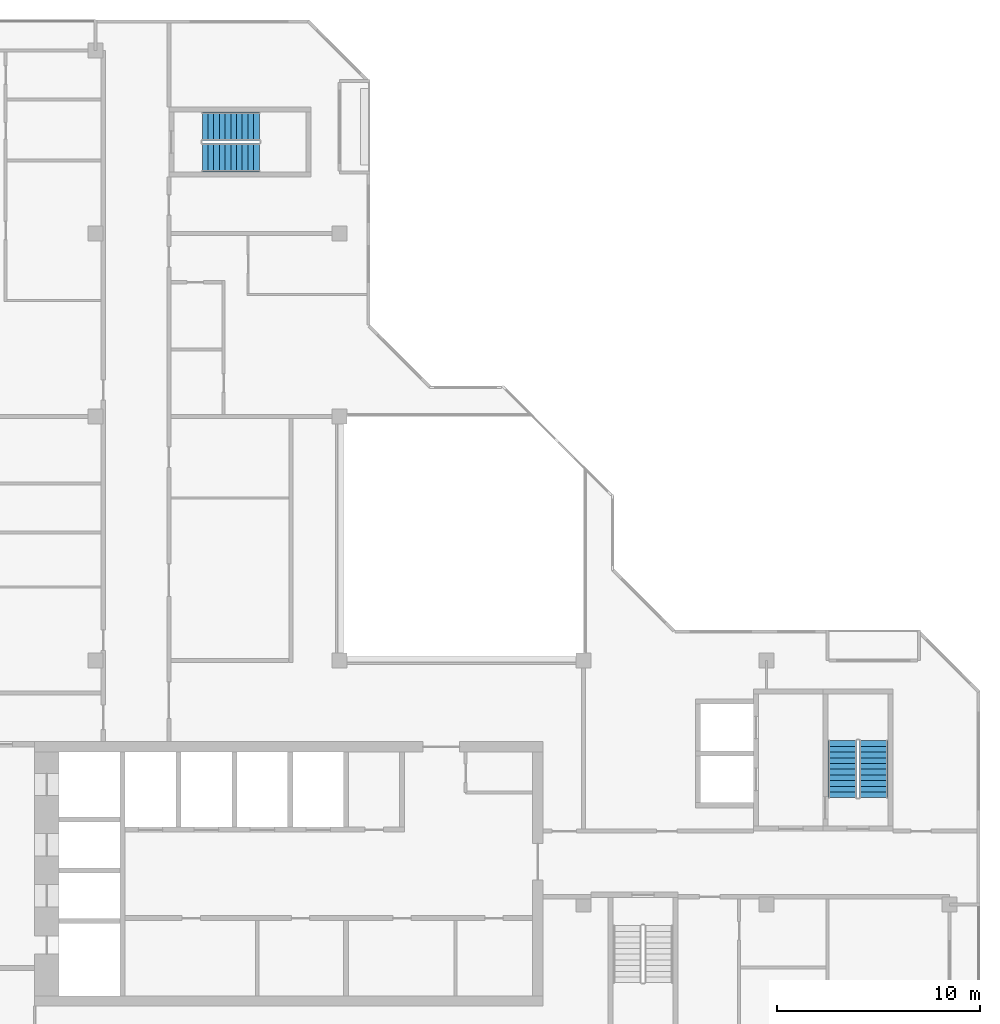
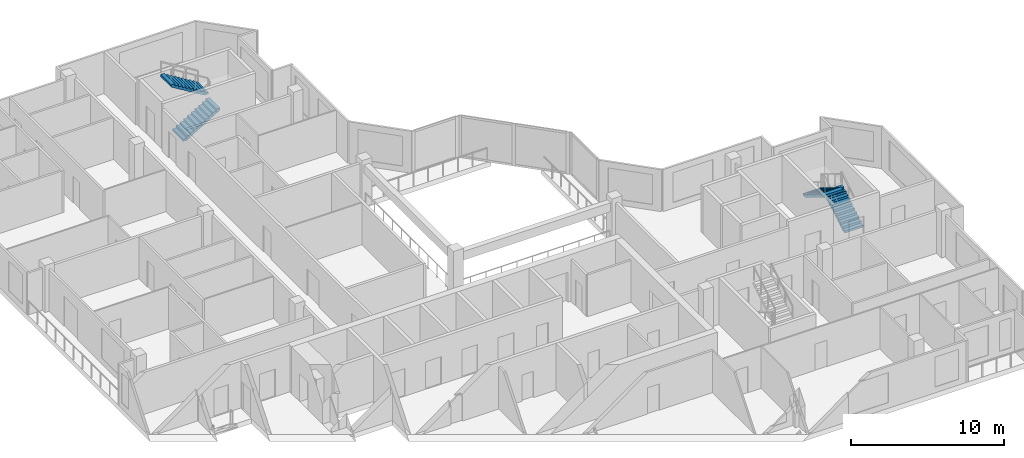
# One storey, part 10 of 12: 4 stair flights, 2 elements without a shape of their own.
"""IFC4 building model written with IfcOpenShell, lengths in metres."""

from ifc_helpers import new_model, si_unit, direction, frame, origin, place, context, subcontext, project, spatial, polyline, outline, extrude, material, type_object, element, aggregate, save


model = new_model("IFC4")

# Units and contexts
model_context = context("Model", 3, precision=1e-05, world=origin(), true_north=direction((0.0, 1.0)))
body_context = subcontext(model_context, "Body", "Model", "MODEL_VIEW")
ifc_project = project(units=[si_unit("LENGTHUNIT", "METRE"), si_unit("AREAUNIT", "SQUARE_METRE"), si_unit("VOLUMEUNIT", "CUBIC_METRE"), si_unit("PLANEANGLEUNIT", "RADIAN"), si_unit("MASSUNIT", "GRAM", prefix="KILO")], contexts=[model_context])

# Site, building, storey
site_placement = place(None, origin())
site = spatial("IfcSite", under=ifc_project, at=site_placement, CompositionType="ELEMENT")
building_placement = place(site_placement, origin())
building = spatial("IfcBuilding", under=site, at=building_placement, Name="Chenar Terraces", CompositionType="ELEMENT")
storey_placement = place(building_placement, frame((0.0, 0.0, 372.64990234375)))
storey = spatial("IfcBuildingStorey", under=building, at=storey_placement, Name="L87", CompositionType="ELEMENT", Elevation=372.64990234375)

# Stair, stair flights
ifc_material_1 = material(Name="Reinforced concrete C40/50", Category="concrete")
stair_type = type_object("IfcStairType", Name="Core stair 1400 half-turn", PredefinedType="HALF_TURN_STAIR", material=ifc_material_1)
placement = place(storey_placement, origin())
stair_1 = element("IfcStair", 1, at=placement, inside=storey, type_object=stair_type, Name="L87 Stair 3", PredefinedType="HALF_TURN_STAIR")
ifc_material_2 = material(Name="Reinforced concrete C40/50", Category="concrete")
stair_flight_type = type_object("IfcStairFlightType", Name="Core stair flight 1400", PredefinedType="STRAIGHT", material=ifc_material_2)
stair_flight_1_placement = place(storey_placement, frame((50.27490234375, 17.25, 0.0), z_axis=(0.0, 0.0, 1.0), x_axis=(0.0, 1.0, 0.0)))
stair_flight_1 = element("IfcStairFlight", 2, at=stair_flight_1_placement, type_object=stair_flight_type, Name="ST3 flight 1", NumberOfRisers=11, NumberOfTreads=10, PredefinedType="STRAIGHT", RiserHeight=0.170454545, TreadLength=0.28, context=body_context, shape_type="SweptSolid", body=[
    extrude(outline(polyline([(-0.0029296875, 0.0), (-0.0029296875, 0.17041015625), (0.0, 0.17041015625), (0.280029296875, 0.17041015625), (0.280029296875, 0.3408203125), (0.56005859375, 0.3408203125), (0.56005859375, 0.511474609375), (0.840087890625, 0.511474609375), (0.840087890625, 0.681884765625), (1.1201171875, 0.681884765625), (1.1201171875, 0.852294921875), (1.39990234375, 0.852294921875), (1.39990234375, 1.022705078125), (1.679931640625, 1.022705078125), (1.679931640625, 1.193115234375), (1.9599609375, 1.193115234375), (1.9599609375, 1.363525390625), (2.239990234375, 1.363525390625), (2.239990234375, 1.5341796875), (2.52001953125, 1.5341796875), (2.52001953125, 1.70458984375), (2.800048828125, 1.70458984375), (2.802978515625, 1.70458984375), (2.802978515625, 1.529052734375), (2.800048828125, 1.529052734375), (0.288330078125, 0.0), (-0.0029296875, 0.0)])), frame((0.0, 0.699951171875, 0.0), z_axis=(0.0, -1.0, 0.0), x_axis=(1.0, 0.0, 0.0)), (0.0, 0.0, 1.0), 1.39990234375),
])
stair_flight_2_placement = place(storey_placement, frame((48.72509765625, 20.050048828125, 1.875), z_axis=(0.0, 0.0, 1.0), x_axis=(0.0, -1.0, 0.0)))
stair_flight_2 = element("IfcStairFlight", 3, at=stair_flight_2_placement, type_object=stair_flight_type, Name="ST3 flight 2", NumberOfRisers=11, NumberOfTreads=10, PredefinedType="STRAIGHT", RiserHeight=0.170454545, TreadLength=0.28, context=body_context, shape_type="SweptSolid", body=[
    extrude(outline(polyline([(-0.0029296875, 0.0), (-0.0029296875, 0.17041015625), (0.0, 0.17041015625), (0.280029296875, 0.17041015625), (0.280029296875, 0.3408203125), (0.56005859375, 0.3408203125), (0.56005859375, 0.511474609375), (0.840087890625, 0.511474609375), (0.840087890625, 0.681884765625), (1.1201171875, 0.681884765625), (1.1201171875, 0.852294921875), (1.39990234375, 0.852294921875), (1.39990234375, 1.022705078125), (1.679931640625, 1.022705078125), (1.679931640625, 1.193115234375), (1.9599609375, 1.193115234375), (1.9599609375, 1.363525390625), (2.239990234375, 1.363525390625), (2.239990234375, 1.5341796875), (2.52001953125, 1.5341796875), (2.52001953125, 1.70458984375), (2.800048828125, 1.70458984375), (2.802978515625, 1.70458984375), (2.802978515625, 1.529052734375), (2.800048828125, 1.529052734375), (0.288330078125, 0.0), (-0.0029296875, 0.0)])), frame((0.0, 0.699951171875, 0.0), z_axis=(0.0, -1.0, 0.0), x_axis=(1.0, 0.0, 0.0)), (0.0, 0.0, 1.0), 1.39990234375),
])
aggregate(stair_1, [stair_flight_1, stair_flight_2])

stair_2 = element("IfcStair", 4, at=placement, inside=storey, type_object=stair_type, Name="L87 Stair 4", PredefinedType="HALF_TURN_STAIR")
stair_flight_3_placement = place(storey_placement, frame((17.25, 48.72509765625, 0.0), z_axis=(0.0, 0.0, 1.0), x_axis=(1.0, 0.0, 0.0)))
stair_flight_3 = element("IfcStairFlight", 5, at=stair_flight_3_placement, type_object=stair_flight_type, Name="ST4 flight 1", NumberOfRisers=11, NumberOfTreads=10, PredefinedType="STRAIGHT", RiserHeight=0.170454545, TreadLength=0.28, context=body_context, shape_type="SweptSolid", body=[
    extrude(outline(polyline([(-0.0029296875, 0.0), (-0.0029296875, 0.17041015625), (0.0, 0.17041015625), (0.280029296875, 0.17041015625), (0.280029296875, 0.3408203125), (0.56005859375, 0.3408203125), (0.56005859375, 0.511474609375), (0.840087890625, 0.511474609375), (0.840087890625, 0.681884765625), (1.1201171875, 0.681884765625), (1.1201171875, 0.852294921875), (1.39990234375, 0.852294921875), (1.39990234375, 1.022705078125), (1.679931640625, 1.022705078125), (1.679931640625, 1.193115234375), (1.9599609375, 1.193115234375), (1.9599609375, 1.363525390625), (2.239990234375, 1.363525390625), (2.239990234375, 1.5341796875), (2.52001953125, 1.5341796875), (2.52001953125, 1.70458984375), (2.800048828125, 1.70458984375), (2.802978515625, 1.70458984375), (2.802978515625, 1.529052734375), (2.800048828125, 1.529052734375), (0.288330078125, 0.0), (-0.0029296875, 0.0)])), frame((0.0, 0.699951171875, 0.0), z_axis=(0.0, -1.0, 0.0), x_axis=(1.0, 0.0, 0.0)), (0.0, 0.0, 1.0), 1.39990234375),
])
stair_flight_4_placement = place(storey_placement, frame((20.050048828125, 50.27490234375, 1.875), z_axis=(0.0, 0.0, 1.0), x_axis=(-1.0, 0.0, 0.0)))
stair_flight_4 = element("IfcStairFlight", 6, at=stair_flight_4_placement, type_object=stair_flight_type, Name="ST4 flight 2", NumberOfRisers=11, NumberOfTreads=10, PredefinedType="STRAIGHT", RiserHeight=0.170454545, TreadLength=0.28, context=body_context, shape_type="SweptSolid", body=[
    extrude(outline(polyline([(-0.0029296875, 0.0), (-0.0029296875, 0.17041015625), (0.0, 0.17041015625), (0.280029296875, 0.17041015625), (0.280029296875, 0.3408203125), (0.56005859375, 0.3408203125), (0.56005859375, 0.511474609375), (0.840087890625, 0.511474609375), (0.840087890625, 0.681884765625), (1.1201171875, 0.681884765625), (1.1201171875, 0.852294921875), (1.39990234375, 0.852294921875), (1.39990234375, 1.022705078125), (1.679931640625, 1.022705078125), (1.679931640625, 1.193115234375), (1.9599609375, 1.193115234375), (1.9599609375, 1.363525390625), (2.239990234375, 1.363525390625), (2.239990234375, 1.5341796875), (2.52001953125, 1.5341796875), (2.52001953125, 1.70458984375), (2.800048828125, 1.70458984375), (2.802978515625, 1.70458984375), (2.802978515625, 1.529052734375), (2.800048828125, 1.529052734375), (0.288330078125, 0.0), (-0.0029296875, 0.0)])), frame((0.0, 0.699951171875, 0.0), z_axis=(0.0, -1.0, 0.0), x_axis=(1.0, 0.0, 0.0)), (0.0, 0.0, 1.0), 1.39990234375),
])
aggregate(stair_2, [stair_flight_3, stair_flight_4])

save(model, "model.ifc")
